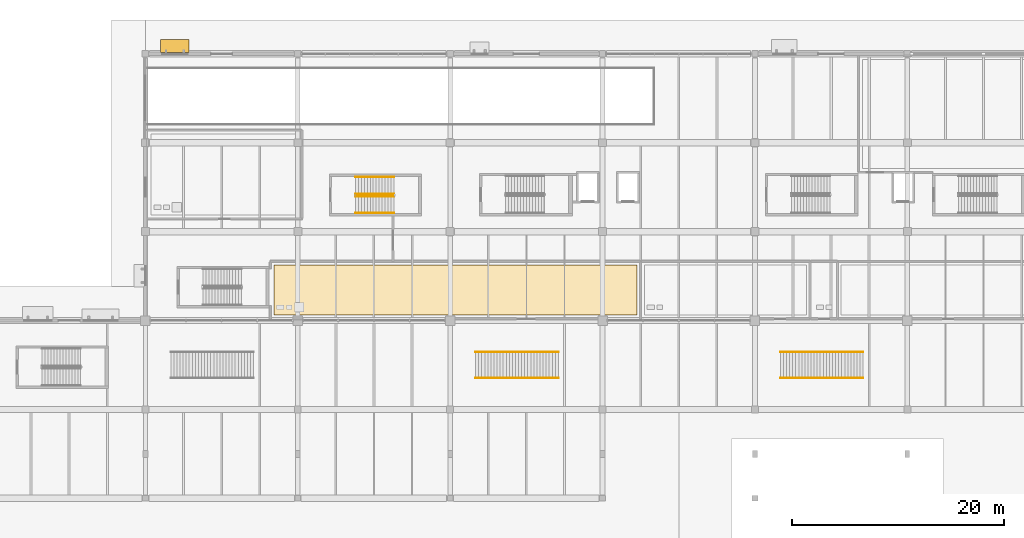
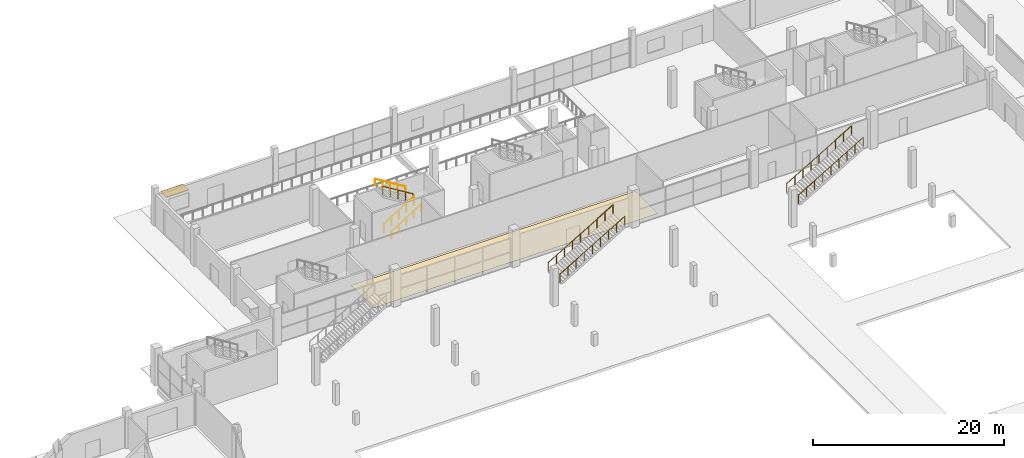
# One storey, part 120 of 130: 8 railings, 1 covering, 1 shading device.
"""IFC4 building model written with IfcOpenShell, lengths in metres."""

from ifc_helpers import new_model, si_unit, direction, frame, origin, origin_2d, place, context, subcontext, project, spatial, polyline, rectangle, circle, outline, extrude, material, layer, layer_set, type_object, element, save


model = new_model("IFC4")

# Units and contexts
model_context = context("Model", 3, precision=1e-05, world=origin(), true_north=direction((0.0, 1.0)))
body_context = subcontext(model_context, "Body", "Model", "MODEL_VIEW")
ifc_project = project(units=[si_unit("LENGTHUNIT", "METRE"), si_unit("AREAUNIT", "SQUARE_METRE"), si_unit("VOLUMEUNIT", "CUBIC_METRE"), si_unit("PLANEANGLEUNIT", "RADIAN"), si_unit("MASSUNIT", "GRAM", prefix="KILO"), si_unit("THERMODYNAMICTEMPERATUREUNIT", "KELVIN")], contexts=[model_context])

# Site, building, storey
site_placement = place(None, origin())
site = spatial("IfcSite", under=ifc_project, at=site_placement, CompositionType="ELEMENT")
building_placement = place(site_placement, origin())
building = spatial("IfcBuilding", under=site, at=building_placement, Name="Nduvali Passage Aquatics Centre", CompositionType="ELEMENT")
storey_placement = place(building_placement, origin())
storey = spatial("IfcBuildingStorey", under=building, at=storey_placement, Name="L00", CompositionType="ELEMENT", Elevation=0.0)

# Shading device
ifc_material_1 = material(Name="Aluminium EN AW-6063 T6", Category="aluminium")
ifc_layer_1 = layer(ifc_material_1, 0.090087890625, Name="Aluminium EN AW-6063 T6")
ifc_layer_set_1 = layer_set([ifc_layer_1], Name="Aluminium EN AW-6063 T6")
shading_device_type = type_object("IfcShadingDeviceType", Name="ENV-SHD-SUN1", PredefinedType="AWNING", material=ifc_layer_set_1)
shading_device_placement = place(storey_placement, frame((42.384033203125, 118.35009765625, 2.7548828125), z_axis=(0.0, 0.0, 1.0), x_axis=(-1.0, 0.0, 0.0)))
element("IfcShadingDevice", 1, at=shading_device_placement, inside=storey, type_object=shading_device_type, Name="L00 Horizontal Monsoon Sunshade 0091", PredefinedType="AWNING", context=body_context, shape_type="SweptSolid", body=[
    extrude(rectangle(XDim=2.699951171875, YDim=1.199951171875, at=origin_2d()), origin(), (0.0, 0.0, 1.0), 0.090087890625),
])

# Covering
ifc_material_2 = material(Name="Anti-slip ceramic pool deck tile")
ifc_layer_2 = layer(ifc_material_2, 0.02490234375, Name="Anti-slip ceramic pool deck tile")
ifc_layer_set_2 = layer_set([ifc_layer_2], Name="Anti-slip ceramic pool deck tile")
covering_type = type_object("IfcCoveringType", Name="INT-COV-TILE", PredefinedType="FLOORING", material=ifc_layer_set_2)
covering_placement = place(storey_placement, origin())
element("IfcCovering", 2, at=covering_placement, inside=storey, type_object=covering_type, Name="L00 Warm Hydrotherapy Pool Hall Floor Finish", PredefinedType="FLOORING", context=body_context, shape_type="SweptSolid", body=[
    extrude(outline(polyline([(51.75, 92.909912109375), (86.050048828125, 92.909912109375), (86.050048828125, 97.64990234375), (51.75, 97.64990234375), (51.75, 92.909912109375)])), origin(), (0.0, 0.0, 1.0), 0.02490234375),
])

# Railings
ifc_material_3 = material(Name="Stainless steel balustrade", Category="steel")
railing_type_1 = type_object("IfcRailingType", Name="INT-RLG-GRD110", PredefinedType="GUARDRAIL", material=ifc_material_3)
railing_1_placement = place(storey_placement, frame((59.449951171875, 104.1298828125, 0.17138671875)))
element("IfcRailing", 3, at=railing_1_placement, inside=storey, type_object=railing_type_1, Name="L00 ST3 stair guard 1", PredefinedType="GUARDRAIL", context=body_context, shape_type="SweptSolid", body=[
    extrude(circle(Radius=0.02392578125, at=origin_2d()), frame((0.0, 0.0, 1.076171875), z_axis=(0.852865859571, 0.0, 0.52213008492), x_axis=(0.0, 1.0, 0.0)), (0.0, 0.0, 1.0), 4.26806640625),
    extrude(circle(Radius=0.02099609375, at=origin_2d()), origin(), (0.0, 0.0, 1.0), 1.052001953125),
    extrude(circle(Radius=0.02099609375, at=origin_2d()), frame((0.91015625, 0.0, 0.55712890625)), (0.0, 0.0, 1.0), 1.052001953125),
    extrude(circle(Radius=0.02099609375, at=origin_2d()), frame((1.820068359375, 0.0, 1.1142578125)), (0.0, 0.0, 1.0), 1.052001953125),
    extrude(circle(Radius=0.02099609375, at=origin_2d()), frame((2.72998046875, 0.0, 1.67138671875)), (0.0, 0.0, 1.0), 1.052001953125),
    extrude(circle(Radius=0.02099609375, at=origin_2d()), frame((3.64013671875, 0.0, 2.228515625)), (0.0, 0.0, 1.0), 1.052001953125),
])
railing_2_placement = place(storey_placement, frame((63.090087890625, 104.3798828125, 2.571533203125)))
element("IfcRailing", 4, at=railing_2_placement, inside=storey, type_object=railing_type_1, Name="L00 ST3 stair guard 3", PredefinedType="GUARDRAIL", context=body_context, shape_type="SweptSolid", body=[
    extrude(circle(Radius=0.02392578125, at=origin_2d()), frame((0.0, 0.0, 1.076171875), z_axis=(-0.852865859571, 0.0, 0.52213008492), x_axis=(0.0, -1.0, 0.0)), (0.0, 0.0, 1.0), 4.26806640625),
    extrude(circle(Radius=0.02099609375, at=origin_2d()), origin(), (0.0, 0.0, 1.0), 1.052001953125),
    extrude(circle(Radius=0.02099609375, at=origin_2d()), frame((-0.91015625, 0.0, 0.55712890625)), (0.0, 0.0, 1.0), 1.052001953125),
    extrude(circle(Radius=0.02099609375, at=origin_2d()), frame((-1.820068359375, 0.0, 1.1142578125)), (0.0, 0.0, 1.0), 1.052001953125),
    extrude(circle(Radius=0.02099609375, at=origin_2d()), frame((-2.72998046875, 0.0, 1.67138671875)), (0.0, 0.0, 1.0), 1.052001953125),
    extrude(circle(Radius=0.02099609375, at=origin_2d()), frame((-3.64013671875, 0.0, 2.228515625)), (0.0, 0.0, 1.0), 1.052001953125),
])
for number, where, name in (
    (5, (70.800048828125, 86.985107421875, 0.17138671875), "Vomitory VST5 Guardrail 1"),
    (6, (70.800048828125, 89.4150390625, 0.17138671875), "Vomitory VST5 Guardrail 2"),
    (7, (99.60009765625, 86.985107421875, 0.17138671875), "Vomitory VST6 Guardrail 1"),
    (8, (99.60009765625, 89.4150390625, 0.17138671875), "Vomitory VST6 Guardrail 2"),
):
    element("IfcRailing", number, at=place(storey_placement, frame(where)), inside=storey, type_object=railing_type_1, Name=name, PredefinedType="GUARDRAIL", context=body_context, shape_type="SweptSolid", body=[
        extrude(circle(Radius=0.02392578125, at=origin_2d()), frame((0.0, 0.0, 1.076171875), z_axis=(0.860833000102, 0.0, 0.508887557261), x_axis=(0.0, 1.0, 0.0)), (0.0, 0.0, 1.0), 9.095703125),
        extrude(circle(Radius=0.02099609375, at=origin_2d()), origin(), (0.0, 0.0, 1.0), 1.052001953125),
        extrude(circle(Radius=0.02099609375, at=origin_2d()), frame((0.978759765625, 0.0, 0.57861328125)), (0.0, 0.0, 1.0), 1.052001953125),
        extrude(circle(Radius=0.02099609375, at=origin_2d()), frame((1.95751953125, 0.0, 1.1572265625)), (0.0, 0.0, 1.0), 1.052001953125),
        extrude(circle(Radius=0.02099609375, at=origin_2d()), frame((2.936279296875, 0.0, 1.73583984375)), (0.0, 0.0, 1.0), 1.052001953125),
        extrude(circle(Radius=0.02099609375, at=origin_2d()), frame((3.9150390625, 0.0, 2.314453125)), (0.0, 0.0, 1.0), 1.052001953125),
        extrude(circle(Radius=0.02099609375, at=origin_2d()), frame((4.8935546875, 0.0, 2.892822265625)), (0.0, 0.0, 1.0), 1.052001953125),
        extrude(circle(Radius=0.02099609375, at=origin_2d()), frame((5.872314453125, 0.0, 3.471435546875)), (0.0, 0.0, 1.0), 1.052001953125),
        extrude(circle(Radius=0.02099609375, at=origin_2d()), frame((6.85107421875, 0.0, 4.050048828125)), (0.0, 0.0, 1.0), 1.052001953125),
        extrude(circle(Radius=0.02099609375, at=origin_2d()), frame((7.829833984375, 0.0, 4.628662109375)), (0.0, 0.0, 1.0), 1.052001953125),
    ])
railing_type_2 = type_object("IfcRailingType", Name="INT-RLG-HND90", PredefinedType="HANDRAIL", material=ifc_material_3)
railing_3_placement = place(storey_placement, frame((59.449951171875, 102.550048828125, 0.346435546875)))
element("IfcRailing", 9, at=railing_3_placement, inside=storey, type_object=railing_type_2, Name="L00 ST3 stair handrail 1", PredefinedType="HANDRAIL", context=body_context, shape_type="SweptSolid", body=[
    extrude(circle(Radius=0.02392578125, at=origin_2d()), frame((0.0, 0.0, 0.8759765625), z_axis=(0.852865859571, 0.0, 0.52213008492), x_axis=(0.0, 1.0, 0.0)), (0.0, 0.0, 1.0), 4.26806640625),
    extrude(circle(Radius=0.02099609375, at=origin_2d()), origin(), (0.0, 0.0, 1.0), 0.851806640625),
    extrude(circle(Radius=0.02099609375, at=origin_2d()), frame((0.91015625, 0.0, 0.55712890625)), (0.0, 0.0, 1.0), 0.851806640625),
    extrude(circle(Radius=0.02099609375, at=origin_2d()), frame((1.820068359375, 0.0, 1.1142578125)), (0.0, 0.0, 1.0), 0.851806640625),
    extrude(circle(Radius=0.02099609375, at=origin_2d()), frame((2.72998046875, 0.0, 1.67138671875)), (0.0, 0.0, 1.0), 0.851806640625),
    extrude(circle(Radius=0.02099609375, at=origin_2d()), frame((3.64013671875, 0.0, 2.228515625)), (0.0, 0.0, 1.0), 0.851806640625),
])
railing_4_placement = place(storey_placement, frame((63.090087890625, 105.9599609375, 2.746337890625)))
element("IfcRailing", 10, at=railing_4_placement, inside=storey, type_object=railing_type_2, Name="L00 ST3 stair handrail 2", PredefinedType="HANDRAIL", context=body_context, shape_type="SweptSolid", body=[
    extrude(circle(Radius=0.02392578125, at=origin_2d()), frame((0.0, 0.0, 0.8759765625), z_axis=(-0.852865859571, 0.0, 0.52213008492), x_axis=(0.0, -1.0, 0.0)), (0.0, 0.0, 1.0), 4.26806640625),
    extrude(circle(Radius=0.02099609375, at=origin_2d()), origin(), (0.0, 0.0, 1.0), 0.851806640625),
    extrude(circle(Radius=0.02099609375, at=origin_2d()), frame((-0.91015625, 0.0, 0.55712890625)), (0.0, 0.0, 1.0), 0.851806640625),
    extrude(circle(Radius=0.02099609375, at=origin_2d()), frame((-1.820068359375, 0.0, 1.1142578125)), (0.0, 0.0, 1.0), 0.851806640625),
    extrude(circle(Radius=0.02099609375, at=origin_2d()), frame((-2.72998046875, 0.0, 1.67138671875)), (0.0, 0.0, 1.0), 0.851806640625),
    extrude(circle(Radius=0.02099609375, at=origin_2d()), frame((-3.64013671875, 0.0, 2.228515625)), (0.0, 0.0, 1.0), 0.851806640625),
])

save(model, "model.ifc")
